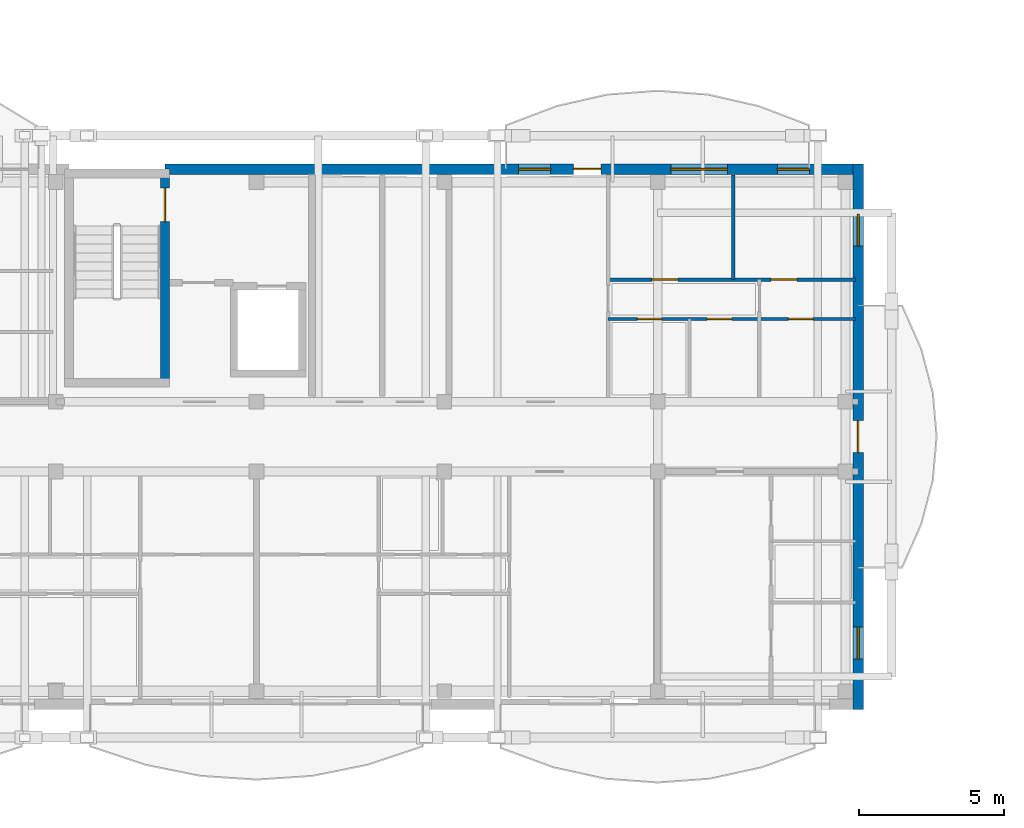
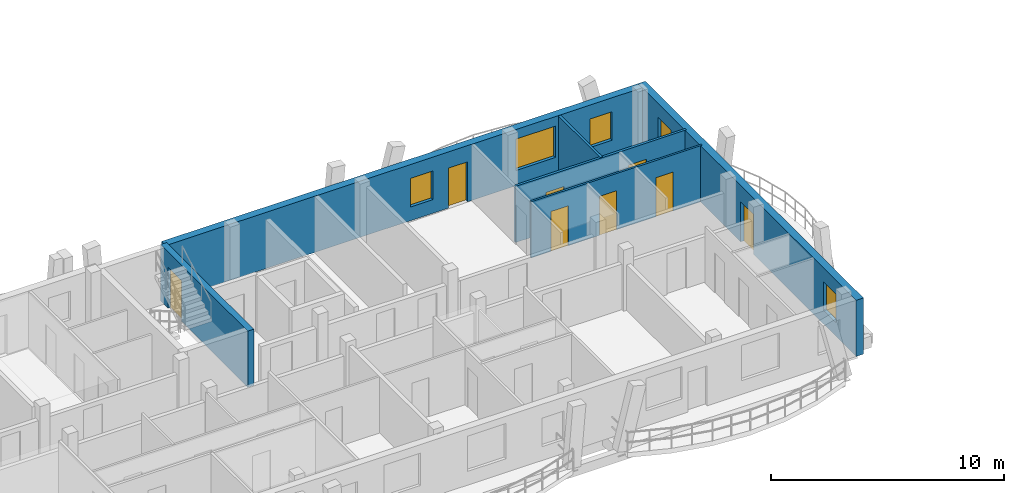
# One storey, part 19 of 48: 8 doors, 6 walls, 5 windows, 13 openings.
"""IFC4 building model written with IfcOpenShell, lengths in metres."""

from ifc_helpers import new_model, si_unit, direction, frame, frame_2d, origin, origin_with_axes, place, context, subcontext, project, spatial, rectangle, extrude, material, layer, layer_set, type_object, element, fill, save


model = new_model("IFC4")

# Units and contexts
model_context = context("Model", 3, precision=1e-05, world=origin(), true_north=direction((0.0, 1.0)))
body_context = subcontext(model_context, "Body", "Model", "MODEL_VIEW")
ifc_project = project(units=[si_unit("LENGTHUNIT", "METRE"), si_unit("AREAUNIT", "SQUARE_METRE"), si_unit("VOLUMEUNIT", "CUBIC_METRE"), si_unit("PLANEANGLEUNIT", "RADIAN"), si_unit("MASSUNIT", "GRAM", prefix="KILO")], contexts=[model_context])

# Site, building, storey
site_placement = place(None, origin())
site = spatial("IfcSite", under=ifc_project, at=site_placement, CompositionType="ELEMENT")
building_placement = place(site_placement, origin())
building = spatial("IfcBuilding", under=site, at=building_placement, Name="Zavelmont Quarter", CompositionType="ELEMENT")
storey_placement = place(building_placement, frame((0.0, 0.0, 17.60009765625)))
storey = spatial("IfcBuildingStorey", under=building, at=storey_placement, Name="L05", CompositionType="ELEMENT", Elevation=17.60009765625)

# Wall, openings, door, windows
ifc_material_1 = material(Name="Natural Belgian limestone", Category="masonry")
ifc_layer_1 = layer(ifc_material_1, 0.360107421875)
ifc_layer_set_1 = layer_set([ifc_layer_1], Name="Natural Belgian limestone")
wall_type_1 = type_object("IfcWallType", Name="EW02", PredefinedType="STANDARD", material=ifc_layer_set_1)
wall_1_placement = place(storey_placement, frame((31.35009765625, 18.39990234375, 0.0), z_axis=(0.0, 0.0, 1.0), x_axis=(1.0, 0.0, 0.0)))
wall_1 = element("IfcWall", 1, at=wall_1_placement, inside=storey, type_object=wall_type_1, Name="L05 exterior limestone wall EW02", PredefinedType="STANDARD", context=body_context, shape_type="SweptSolid", body=[
    extrude(rectangle(XDim=23.679931640625, YDim=0.360107421875, at=frame_2d((11.83984375, 0.0))), origin(), (0.0, 0.0, 1.0), 2.949951171875),
])
opening_1_placement = place(wall_1_placement, frame((14.04833984375, 0.0, 0.0)))
opening_1 = element("IfcOpeningElement", 2, at=opening_1_placement, cuts=wall_1, Name="Opening DR04", PredefinedType="OPENING", context=body_context, shape_type="SweptSolid", body=[
    extrude(rectangle(XDim=0.949951171875, YDim=2.10009765625, at=frame_2d((0.47509765625, 1.050048828125))), frame((0.0, 0.19189453125, 0.0), z_axis=(0.0, -1.0, 0.0), x_axis=(1.0, 0.0, 0.0)), (0.0, 0.0, 1.0), 0.384033203125),
])
opening_2_placement = place(wall_1_placement, frame((12.169921875, 0.0, 0.719970703125)))
opening_2 = element("IfcOpeningElement", 3, at=opening_2_placement, cuts=wall_1, Name="Opening WN09", PredefinedType="OPENING", context=body_context, shape_type="SweptSolid", body=[
    extrude(rectangle(XDim=1.10009765625, YDim=1.5, at=frame_2d((0.550048828125, 0.75))), frame((0.0, 0.19189453125, 0.0), z_axis=(0.0, -1.0, 0.0), x_axis=(1.0, 0.0, 0.0)), (0.0, 0.0, 1.0), 0.384033203125),
])
opening_3_placement = place(wall_1_placement, frame((17.402587890625, 0.0, 0.800048828125)))
opening_3 = element("IfcOpeningElement", 4, at=opening_3_placement, cuts=wall_1, Name="Opening WN24", PredefinedType="OPENING", context=body_context, shape_type="SweptSolid", body=[
    extrude(rectangle(XDim=1.949951171875, YDim=1.64990234375, at=frame_2d((0.97509765625, 0.824951171875))), frame((0.0, 0.19189453125, 0.0), z_axis=(0.0, -1.0, 0.0), x_axis=(1.0, 0.0, 0.0)), (0.0, 0.0, 1.0), 0.384033203125),
])
opening_4_placement = place(wall_1_placement, frame((21.070068359375, 0.0, 0.719970703125)))
opening_4 = element("IfcOpeningElement", 5, at=opening_4_placement, cuts=wall_1, Name="Opening WN09", PredefinedType="OPENING", context=body_context, shape_type="SweptSolid", body=[
    extrude(rectangle(XDim=1.10009765625, YDim=1.5, at=frame_2d((0.550048828125, 0.75))), frame((0.0, 0.19189453125, 0.0), z_axis=(0.0, -1.0, 0.0), x_axis=(1.0, 0.0, 0.0)), (0.0, 0.0, 1.0), 0.384033203125),
])
ifc_material_2 = material(Name="Thermally broken aluminium and double safety glass", Category="aluminium")
door_type_1 = type_object("IfcDoorType", Name="DR04", OperationType="NOTDEFINED", PredefinedType="DOOR", material=ifc_material_2)
door_1_placement = place(opening_1_placement, frame((0.949951171875, 0.0, 0.0), z_axis=(0.0, 0.0, 1.0), x_axis=(-1.0, 0.0, 0.0)))
door_1 = element("IfcDoor", 6, at=door_1_placement, inside=storey, type_object=door_type_1, Name="Block A L05 glazed balcony door", OperationType="SINGLE_SWING_LEFT", OverallHeight=2.10009765625, OverallWidth=0.949951171875, PredefinedType="DOOR", context=body_context, shape_type="SweptSolid", body=[
    extrude(rectangle(XDim=0.949951171875, YDim=2.10009765625, at=frame_2d((0.47509765625, 1.050048828125))), frame((0.0, 0.02490234375, 0.0), z_axis=(0.0, -1.0, 0.0), x_axis=(1.0, 0.0, 0.0)), (0.0, 0.0, 1.0), 0.050048828125),
])
fill(opening_1, door_1)
ifc_material_3 = material(Name="Double low-E insulated glazing in thermally broken aluminium frame", Category="aluminium")
window_type_1 = type_object("IfcWindowType", Name="WN09", PartitioningType="SINGLE_PANEL", PredefinedType="WINDOW", material=ifc_material_3)
window_1_placement = place(opening_2_placement, origin_with_axes())
window_1 = element("IfcWindow", 7, at=window_1_placement, inside=storey, type_object=window_type_1, Name="L05 window WN09", OverallHeight=1.5, OverallWidth=1.10009765625, PartitioningType="SINGLE_PANEL", PredefinedType="WINDOW", context=body_context, shape_type="SweptSolid", body=[
    extrude(rectangle(XDim=1.10009765625, YDim=1.5, at=frame_2d((0.550048828125, 0.75))), frame((0.0, 0.030029296875, 0.0), z_axis=(0.0, -1.0, 0.0), x_axis=(1.0, 0.0, 0.0)), (0.0, 0.0, 1.0), 0.06005859375),
])
fill(opening_2, window_1)
window_2_placement = place(opening_4_placement, origin_with_axes())
window_2 = element("IfcWindow", 8, at=window_2_placement, inside=storey, type_object=window_type_1, Name="L05 window WN09", OverallHeight=1.5, OverallWidth=1.10009765625, PartitioningType="SINGLE_PANEL", PredefinedType="WINDOW", context=body_context, shape_type="SweptSolid", body=[
    extrude(rectangle(XDim=1.10009765625, YDim=1.5, at=frame_2d((0.550048828125, 0.75))), frame((0.0, 0.030029296875, 0.0), z_axis=(0.0, -1.0, 0.0), x_axis=(1.0, 0.0, 0.0)), (0.0, 0.0, 1.0), 0.06005859375),
])
fill(opening_4, window_2)
window_type_2 = type_object("IfcWindowType", Name="WN24", PartitioningType="SINGLE_PANEL", PredefinedType="WINDOW", material=ifc_material_3)
window_3_placement = place(opening_3_placement, origin_with_axes())
window_3 = element("IfcWindow", 9, at=window_3_placement, inside=storey, type_object=window_type_2, Name="L05 window WN24", OverallHeight=1.64990234375, OverallWidth=1.949951171875, PartitioningType="SINGLE_PANEL", PredefinedType="WINDOW", context=body_context, shape_type="SweptSolid", body=[
    extrude(rectangle(XDim=1.949951171875, YDim=1.64990234375, at=frame_2d((0.97509765625, 0.824951171875))), frame((0.0, 0.030029296875, 0.0), z_axis=(0.0, -1.0, 0.0), x_axis=(1.0, 0.0, 0.0)), (0.0, 0.0, 1.0), 0.06005859375),
])
fill(opening_3, window_3)

wall_2_placement = place(storey_placement, frame((55.199951171875, -0.179931640625, 0.0), z_axis=(0.0, 0.0, 1.0), x_axis=(0.0, 1.0, 0.0)))
wall_2 = element("IfcWall", 10, at=wall_2_placement, inside=storey, type_object=wall_type_1, Name="L05 exterior limestone wall EW02", PredefinedType="STANDARD", context=body_context, shape_type="SweptSolid", body=[
    extrude(rectangle(XDim=18.760009765625, YDim=0.360107421875, at=frame_2d((9.3798828125, 0.0))), origin(), (0.0, 0.0, 1.0), 2.949951171875),
])
opening_5_placement = place(wall_2_placement, frame((8.830078125, 0.0, 0.0)))
opening_5 = element("IfcOpeningElement", 11, at=opening_5_placement, cuts=wall_2, Name="Opening DR04B", PredefinedType="OPENING", context=body_context, shape_type="SweptSolid", body=[
    extrude(rectangle(XDim=1.10009765625, YDim=2.10009765625, at=frame_2d((0.550048828125, 1.050048828125))), frame((0.0, 0.19189453125, 0.0), z_axis=(0.0, -1.0, 0.0), x_axis=(1.0, 0.0, 0.0)), (0.0, 0.0, 1.0), 0.384033203125),
])
opening_6_placement = place(wall_2_placement, frame((1.72998046875, 0.0, 0.719970703125)))
opening_6 = element("IfcOpeningElement", 12, at=opening_6_placement, cuts=wall_2, Name="Opening WN09", PredefinedType="OPENING", context=body_context, shape_type="SweptSolid", body=[
    extrude(rectangle(XDim=1.10009765625, YDim=1.5, at=frame_2d((0.550048828125, 0.75))), frame((0.0, 0.19189453125, 0.0), z_axis=(0.0, -1.0, 0.0), x_axis=(1.0, 0.0, 0.0)), (0.0, 0.0, 1.0), 0.384033203125),
])
opening_7_placement = place(wall_2_placement, frame((15.929931640625, 0.0, 0.719970703125)))
opening_7 = element("IfcOpeningElement", 13, at=opening_7_placement, cuts=wall_2, Name="Opening WN09", PredefinedType="OPENING", context=body_context, shape_type="SweptSolid", body=[
    extrude(rectangle(XDim=1.10009765625, YDim=1.5, at=frame_2d((0.550048828125, 0.75))), frame((0.0, 0.19189453125, 0.0), z_axis=(0.0, -1.0, 0.0), x_axis=(1.0, 0.0, 0.0)), (0.0, 0.0, 1.0), 0.384033203125),
])
door_type_2 = type_object("IfcDoorType", Name="DR04B", OperationType="NOTDEFINED", PredefinedType="DOOR", material=ifc_material_2)
door_2_placement = place(opening_5_placement, origin_with_axes())
door_2 = element("IfcDoor", 14, at=door_2_placement, inside=storey, type_object=door_type_2, Name="Block A L05 terrace or vase balcony door", OperationType="SINGLE_SWING_LEFT", OverallHeight=2.10009765625, OverallWidth=1.10009765625, PredefinedType="DOOR", context=body_context, shape_type="SweptSolid", body=[
    extrude(rectangle(XDim=1.10009765625, YDim=2.10009765625, at=frame_2d((0.550048828125, 1.050048828125))), frame((0.0, 0.02490234375, 0.0), z_axis=(0.0, -1.0, 0.0), x_axis=(1.0, 0.0, 0.0)), (0.0, 0.0, 1.0), 0.050048828125),
])
fill(opening_5, door_2)
window_4_placement = place(opening_6_placement, origin_with_axes())
window_4 = element("IfcWindow", 15, at=window_4_placement, inside=storey, type_object=window_type_1, Name="L05 window WN09", OverallHeight=1.5, OverallWidth=1.10009765625, PartitioningType="SINGLE_PANEL", PredefinedType="WINDOW", context=body_context, shape_type="SweptSolid", body=[
    extrude(rectangle(XDim=1.10009765625, YDim=1.5, at=frame_2d((0.550048828125, 0.75))), frame((0.0, 0.030029296875, 0.0), z_axis=(0.0, -1.0, 0.0), x_axis=(1.0, 0.0, 0.0)), (0.0, 0.0, 1.0), 0.06005859375),
])
fill(opening_6, window_4)
window_5_placement = place(opening_7_placement, origin_with_axes())
window_5 = element("IfcWindow", 16, at=window_5_placement, inside=storey, type_object=window_type_1, Name="L05 window WN09", OverallHeight=1.5, OverallWidth=1.10009765625, PartitioningType="SINGLE_PANEL", PredefinedType="WINDOW", context=body_context, shape_type="SweptSolid", body=[
    extrude(rectangle(XDim=1.10009765625, YDim=1.5, at=frame_2d((0.550048828125, 0.75))), frame((0.0, 0.030029296875, 0.0), z_axis=(0.0, -1.0, 0.0), x_axis=(1.0, 0.0, 0.0)), (0.0, 0.0, 1.0), 0.06005859375),
])
fill(opening_7, window_5)

# Wall
ifc_material_4 = material(Name="Double gypsum board on acoustic steel stud", Category="steel")
ifc_layer_2 = layer(ifc_material_4, 0.125)
ifc_layer_set_2 = layer_set([ifc_layer_2], Name="Double gypsum board on acoustic steel stud")
wall_type_2 = type_object("IfcWallType", Name="IW03", PredefinedType="PARTITIONING", material=ifc_layer_set_2)
wall_3_placement = place(storey_placement, frame((50.89990234375, 14.60009765625, 0.0), z_axis=(0.0, 0.0, 1.0), x_axis=(0.0, 1.0, 0.0)))
element("IfcWall", 17, at=wall_3_placement, inside=storey, type_object=wall_type_2, Name="L05 Partition IW03", PredefinedType="PARTITIONING", context=body_context, shape_type="SweptSolid", body=[
    extrude(rectangle(XDim=3.599853515625, YDim=0.125, at=frame_2d((1.7998046875, 0.0))), origin(), (0.0, 0.0, 1.0), 2.949951171875),
])

# Wall, openings, doors
wall_4_placement = place(storey_placement, frame((46.60009765625, 14.60009765625, 0.0), z_axis=(0.0, 0.0, 1.0), x_axis=(1.0, 0.0, 0.0)))
wall_4 = element("IfcWall", 18, at=wall_4_placement, inside=storey, type_object=wall_type_2, Name="L05 Partition IW03", PredefinedType="PARTITIONING", context=body_context, shape_type="SweptSolid", body=[
    extrude(rectangle(XDim=8.5, YDim=0.125, at=frame_2d((4.25, 0.0))), origin(), (0.0, 0.0, 1.0), 2.949951171875),
])
opening_8_placement = place(wall_4_placement, frame((1.5, 0.0, 0.0)))
opening_8 = element("IfcOpeningElement", 19, at=opening_8_placement, cuts=wall_4, Name="Opening DR05", PredefinedType="OPENING", context=body_context, shape_type="SweptSolid", body=[
    extrude(rectangle(XDim=0.89990234375, YDim=2.10009765625, at=frame_2d((0.449951171875, 1.050048828125))), frame((0.0, 0.074462890625, 0.0), z_axis=(0.0, -1.0, 0.0), x_axis=(1.0, 0.0, 0.0)), (0.0, 0.0, 1.0), 0.14892578125),
])
opening_9_placement = place(wall_4_placement, frame((5.60009765625, 0.0, 0.0)))
opening_9 = element("IfcOpeningElement", 20, at=opening_9_placement, cuts=wall_4, Name="Opening DR05", PredefinedType="OPENING", context=body_context, shape_type="SweptSolid", body=[
    extrude(rectangle(XDim=0.89990234375, YDim=2.10009765625, at=frame_2d((0.449951171875, 1.050048828125))), frame((0.0, 0.074462890625, 0.0), z_axis=(0.0, -1.0, 0.0), x_axis=(1.0, 0.0, 0.0)), (0.0, 0.0, 1.0), 0.14892578125),
])
ifc_material_5 = material(Name="Engineered oak flush interior door")
door_type_3 = type_object("IfcDoorType", Name="DR05", OperationType="NOTDEFINED", PredefinedType="DOOR", material=ifc_material_5)
door_3_placement = place(opening_8_placement, frame((0.89990234375, 0.0, 0.0), z_axis=(0.0, 0.0, 1.0), x_axis=(-1.0, 0.0, 0.0)))
door_3 = element("IfcDoor", 21, at=door_3_placement, inside=storey, type_object=door_type_3, Name="L05 door DR05", OperationType="SINGLE_SWING_RIGHT", OverallHeight=2.10009765625, OverallWidth=0.89990234375, PredefinedType="DOOR", context=body_context, shape_type="SweptSolid", body=[
    extrude(rectangle(XDim=0.89990234375, YDim=2.10009765625, at=frame_2d((0.449951171875, 1.050048828125))), frame((0.0, 0.02490234375, 0.0), z_axis=(0.0, -1.0, 0.0), x_axis=(1.0, 0.0, 0.0)), (0.0, 0.0, 1.0), 0.050048828125),
])
fill(opening_8, door_3)
door_4_placement = place(opening_9_placement, origin_with_axes())
door_4 = element("IfcDoor", 22, at=door_4_placement, inside=storey, type_object=door_type_3, Name="L05 door DR05", OperationType="SINGLE_SWING_LEFT", OverallHeight=2.10009765625, OverallWidth=0.89990234375, PredefinedType="DOOR", context=body_context, shape_type="SweptSolid", body=[
    extrude(rectangle(XDim=0.89990234375, YDim=2.10009765625, at=frame_2d((0.449951171875, 1.050048828125))), frame((0.0, 0.02490234375, 0.0), z_axis=(0.0, -1.0, 0.0), x_axis=(1.0, 0.0, 0.0)), (0.0, 0.0, 1.0), 0.050048828125),
])
fill(opening_9, door_4)

ifc_material_6 = material(Name="Moisture-resistant gypsum board on steel stud", Category="steel")
ifc_layer_3 = layer(ifc_material_6, 0.10009765625)
ifc_layer_set_3 = layer_set([ifc_layer_3], Name="Moisture-resistant gypsum board on steel stud")
wall_type_3 = type_object("IfcWallType", Name="IW04", PredefinedType="PARTITIONING", material=ifc_layer_set_3)
wall_5_placement = place(storey_placement, frame((46.60009765625, 13.25, 0.0), z_axis=(0.0, 0.0, 1.0), x_axis=(1.0, 0.0, 0.0)))
wall_5 = element("IfcWall", 23, at=wall_5_placement, inside=storey, type_object=wall_type_3, Name="L05 Partition IW04", PredefinedType="PARTITIONING", context=body_context, shape_type="SweptSolid", body=[
    extrude(rectangle(XDim=8.5, YDim=0.10009765625, at=frame_2d((4.25, 0.0))), origin(), (0.0, 0.0, 1.0), 2.949951171875),
])
opening_10_placement = place(wall_5_placement, frame((1.0, 0.0, 0.0)))
opening_10 = element("IfcOpeningElement", 24, at=opening_10_placement, cuts=wall_5, Name="Opening DR16", PredefinedType="OPENING", context=body_context, shape_type="SweptSolid", body=[
    extrude(rectangle(XDim=0.85009765625, YDim=2.10009765625, at=frame_2d((0.425048828125, 1.050048828125))), frame((0.0, 0.06201171875, 0.0), z_axis=(0.0, -1.0, 0.0), x_axis=(1.0, 0.0, 0.0)), (0.0, 0.0, 1.0), 0.1240234375),
])
opening_11_placement = place(wall_5_placement, frame((3.39990234375, 0.0, 0.0)))
opening_11 = element("IfcOpeningElement", 25, at=opening_11_placement, cuts=wall_5, Name="Opening DR06", PredefinedType="OPENING", context=body_context, shape_type="SweptSolid", body=[
    extrude(rectangle(XDim=0.85009765625, YDim=2.050048828125, at=frame_2d((0.425048828125, 1.02490234375))), frame((0.0, 0.06201171875, 0.0), z_axis=(0.0, -1.0, 0.0), x_axis=(1.0, 0.0, 0.0)), (0.0, 0.0, 1.0), 0.1240234375),
])
opening_12_placement = place(wall_5_placement, frame((6.199951171875, 0.0, 0.0)))
opening_12 = element("IfcOpeningElement", 26, at=opening_12_placement, cuts=wall_5, Name="Opening DR06", PredefinedType="OPENING", context=body_context, shape_type="SweptSolid", body=[
    extrude(rectangle(XDim=0.85009765625, YDim=2.050048828125, at=frame_2d((0.425048828125, 1.02490234375))), frame((0.0, 0.06201171875, 0.0), z_axis=(0.0, -1.0, 0.0), x_axis=(1.0, 0.0, 0.0)), (0.0, 0.0, 1.0), 0.1240234375),
])
ifc_material_7 = material(Name="Moisture-resistant painted wet-room door")
door_type_4 = type_object("IfcDoorType", Name="DR06", OperationType="NOTDEFINED", PredefinedType="DOOR", material=ifc_material_7)
door_5_placement = place(opening_11_placement, frame((0.85009765625, 0.0, 0.0), z_axis=(0.0, 0.0, 1.0), x_axis=(-1.0, 0.0, 0.0)))
door_5 = element("IfcDoor", 27, at=door_5_placement, inside=storey, type_object=door_type_4, Name="L05 door DR06", OperationType="SINGLE_SWING_RIGHT", OverallHeight=2.050048828125, OverallWidth=0.85009765625, PredefinedType="DOOR", context=body_context, shape_type="SweptSolid", body=[
    extrude(rectangle(XDim=0.85009765625, YDim=2.050048828125, at=frame_2d((0.425048828125, 1.02490234375))), frame((0.0, 0.02490234375, 0.0), z_axis=(0.0, -1.0, 0.0), x_axis=(1.0, 0.0, 0.0)), (0.0, 0.0, 1.0), 0.050048828125),
])
fill(opening_11, door_5)
door_6_placement = place(opening_12_placement, origin_with_axes())
door_6 = element("IfcDoor", 28, at=door_6_placement, inside=storey, type_object=door_type_4, Name="L05 door DR06", OperationType="SINGLE_SWING_LEFT", OverallHeight=2.050048828125, OverallWidth=0.85009765625, PredefinedType="DOOR", context=body_context, shape_type="SweptSolid", body=[
    extrude(rectangle(XDim=0.85009765625, YDim=2.050048828125, at=frame_2d((0.425048828125, 1.02490234375))), frame((0.0, 0.02490234375, 0.0), z_axis=(0.0, -1.0, 0.0), x_axis=(1.0, 0.0, 0.0)), (0.0, 0.0, 1.0), 0.050048828125),
])
fill(opening_12, door_6)
door_type_5 = type_object("IfcDoorType", Name="DR16", OperationType="NOTDEFINED", PredefinedType="DOOR", material=ifc_material_5)
door_7_placement = place(opening_10_placement, origin_with_axes())
door_7 = element("IfcDoor", 29, at=door_7_placement, inside=storey, type_object=door_type_5, Name="L05 door DR16", OperationType="SINGLE_SWING_LEFT", OverallHeight=2.10009765625, OverallWidth=0.85009765625, PredefinedType="DOOR", context=body_context, shape_type="SweptSolid", body=[
    extrude(rectangle(XDim=0.85009765625, YDim=2.10009765625, at=frame_2d((0.425048828125, 1.050048828125))), frame((0.0, 0.02490234375, 0.0), z_axis=(0.0, -1.0, 0.0), x_axis=(1.0, 0.0, 0.0)), (0.0, 0.0, 1.0), 0.050048828125),
])
fill(opening_10, door_7)

# Wall, opening, door
ifc_material_8 = material(Name="Concrete C40/50", Category="concrete")
ifc_layer_4 = layer(ifc_material_8, 0.300048828125)
ifc_layer_set_4 = layer_set([ifc_layer_4], Name="Concrete C40/50")
wall_type_4 = type_object("IfcWallType", Name="SW01", PredefinedType="SHEAR", material=ifc_layer_set_4)
wall_6_placement = place(storey_placement, frame((31.35009765625, 10.89990234375, 0.0), z_axis=(0.0, 0.0, 1.0), x_axis=(0.0, 1.0, 0.0)))
wall_6 = element("IfcWall", 30, at=wall_6_placement, inside=storey, type_object=wall_type_4, Name="L05 ST02 lobby shear wall SW01", PredefinedType="SHEAR", context=body_context, shape_type="SweptSolid", body=[
    extrude(rectangle(XDim=7.5, YDim=0.300048828125, at=frame_2d((3.75, 0.0))), origin(), (0.0, 0.0, 1.0), 2.949951171875),
])
opening_13_placement = place(wall_6_placement, frame((5.699951171875, 0.0, 0.0)))
opening_13 = element("IfcOpeningElement", 31, at=opening_13_placement, cuts=wall_6, Name="Opening DR09", PredefinedType="OPENING", context=body_context, shape_type="SweptSolid", body=[
    extrude(rectangle(XDim=1.14990234375, YDim=2.14990234375, at=frame_2d((0.574951171875, 1.074951171875))), frame((0.0, 0.162109375, 0.0), z_axis=(0.0, -1.0, 0.0), x_axis=(1.0, 0.0, 0.0)), (0.0, 0.0, 1.0), 0.323974609375),
])
ifc_material_9 = material(Name="Painted steel stair-core fire door", Category="steel")
door_type_6 = type_object("IfcDoorType", Name="DR09", OperationType="NOTDEFINED", PredefinedType="DOOR", material=ifc_material_9)
door_8_placement = place(opening_13_placement, origin_with_axes())
door_8 = element("IfcDoor", 32, at=door_8_placement, inside=storey, type_object=door_type_6, Name="ST02 protected stair door", OperationType="SINGLE_SWING_LEFT", OverallHeight=2.14990234375, OverallWidth=1.14990234375, PredefinedType="DOOR", context=body_context, shape_type="SweptSolid", body=[
    extrude(rectangle(XDim=1.14990234375, YDim=2.14990234375, at=frame_2d((0.574951171875, 1.074951171875))), frame((0.0, 0.02490234375, 0.0), z_axis=(0.0, -1.0, 0.0), x_axis=(1.0, 0.0, 0.0)), (0.0, 0.0, 1.0), 0.050048828125),
])
fill(opening_13, door_8)

save(model, "model.ifc")
